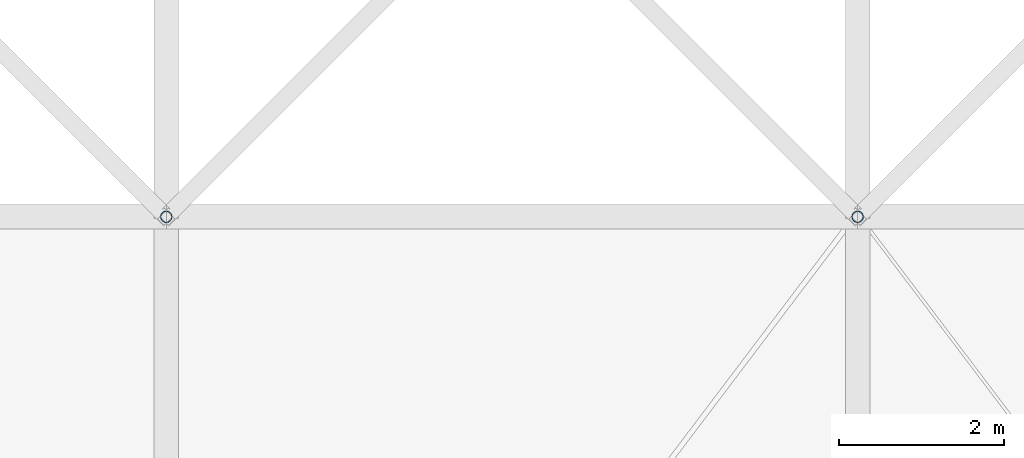
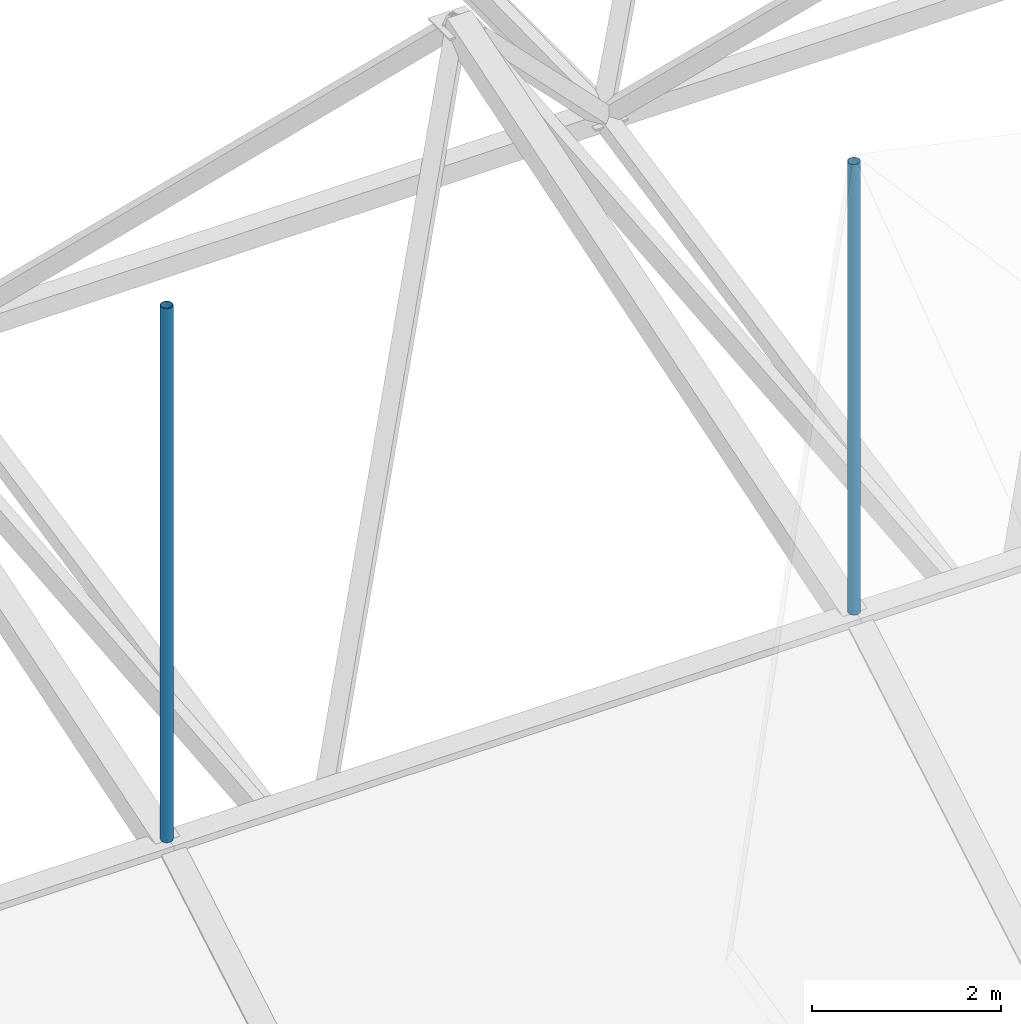
# One storey, part 50 of 111: 2 discrete accessories.
"""IFC4 building model written with IfcOpenShell, lengths in metres."""

from ifc_helpers import new_model, si_unit, direction, frame, origin, origin_2d, place, context, subcontext, project, spatial, hollow_circle, extrude, material, material_profile, profile_set, type_object, element, save


model = new_model("IFC4")

# Units and contexts
model_context = context("Model", 3, precision=1e-05, world=origin(), true_north=direction((0.0, 1.0)))
body_context = subcontext(model_context, "Body", "Model", "MODEL_VIEW")
ifc_project = project(units=[si_unit("LENGTHUNIT", "METRE"), si_unit("AREAUNIT", "SQUARE_METRE"), si_unit("VOLUMEUNIT", "CUBIC_METRE"), si_unit("PLANEANGLEUNIT", "RADIAN"), si_unit("MASSUNIT", "GRAM", prefix="KILO")], contexts=[model_context])

# Site, building, storey
site_placement = place(None, origin())
site = spatial("IfcSite", under=ifc_project, at=site_placement, CompositionType="ELEMENT")
building_placement = place(site_placement, origin())
building = spatial("IfcBuilding", under=site, at=building_placement, Name="Rain Tree Exposition and Congress Centre", CompositionType="ELEMENT")
storey_placement = place(building_placement, frame((0.0, 0.0, 19.5)))
storey = spatial("IfcBuildingStorey", under=building, at=storey_placement, Name="RF", CompositionType="ELEMENT", Elevation=19.5)

# Discrete accessories
ifc_material = material(Name="Steel S355J2H", Category="steel")
ifc_material_profile = material_profile(ifc_material, hollow_circle(Radius=0.06982421875, WallThickness=0.0048828125, at=origin_2d()), Name="CHS 140x5")
ifc_profile_set = profile_set([ifc_material_profile], Name="Steel S355J2H")
discrete_accessory_type = type_object("IfcDiscreteAccessoryType", Name="Roof skin post CHS 140x5", PredefinedType="BRACKET", material=ifc_profile_set)
discrete_accessory_1_placement = place(storey_placement, frame((210.0, 109.199951171875, 5.39404296875), z_axis=(0.0, 0.0, 1.0), x_axis=(1.0, 0.0, 0.0)))
element("IfcDiscreteAccessory", 1, at=discrete_accessory_1_placement, inside=storey, type_object=discrete_accessory_type, Name="Roof skin post B22", PredefinedType="BRACKET", context=body_context, shape_type="SweptSolid", body=[
    extrude(hollow_circle(Radius=0.06982421875, WallThickness=0.0048828125, at=origin_2d()), origin(), (0.0, 0.0, 1.0), 6.903564453125),
])
discrete_accessory_2_placement = place(storey_placement, frame((218.39990234375, 109.199951171875, 5.39404296875), z_axis=(0.0, 0.0, 1.0), x_axis=(1.0, 0.0, 0.0)))
element("IfcDiscreteAccessory", 2, at=discrete_accessory_2_placement, inside=storey, type_object=discrete_accessory_type, Name="Roof skin post B23", PredefinedType="BRACKET", context=body_context, shape_type="SweptSolid", body=[
    extrude(hollow_circle(Radius=0.06982421875, WallThickness=0.0048828125, at=origin_2d()), origin(), (0.0, 0.0, 1.0), 5.822509765625),
])

save(model, "model.ifc")
